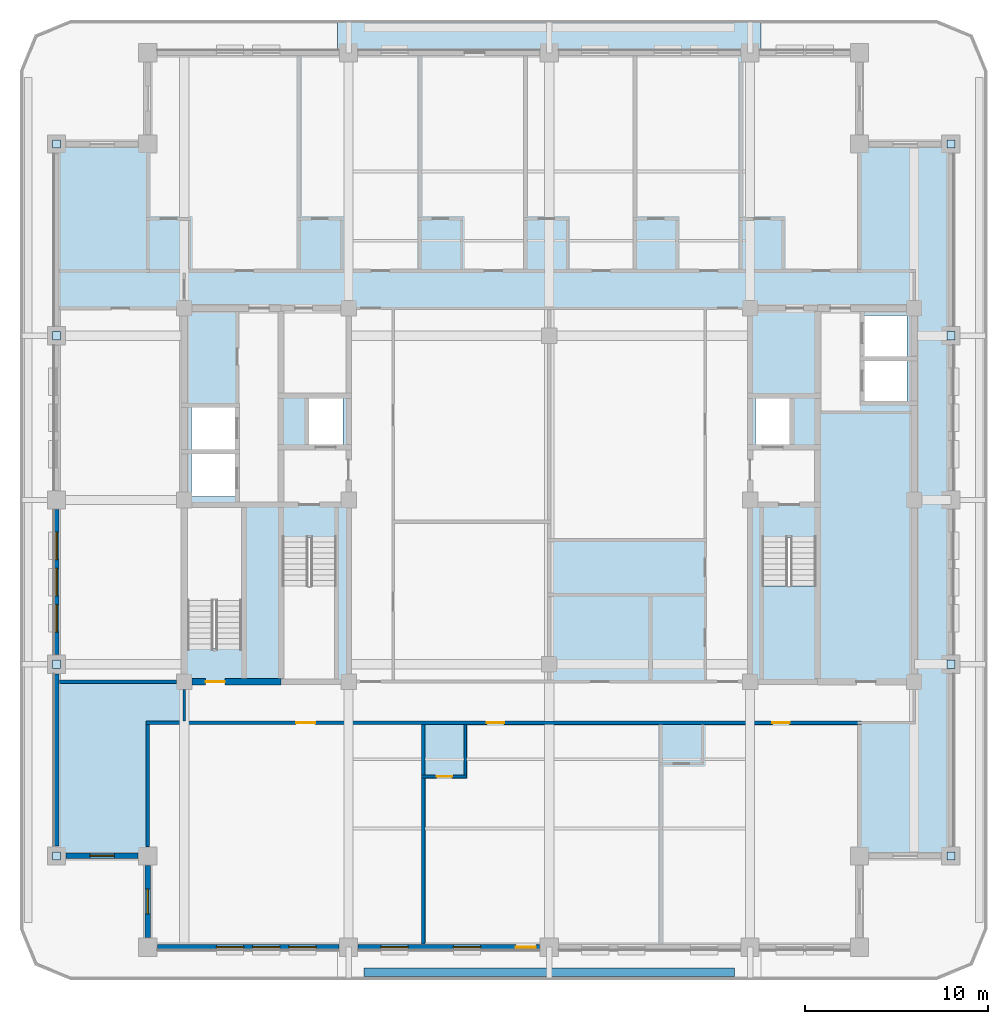
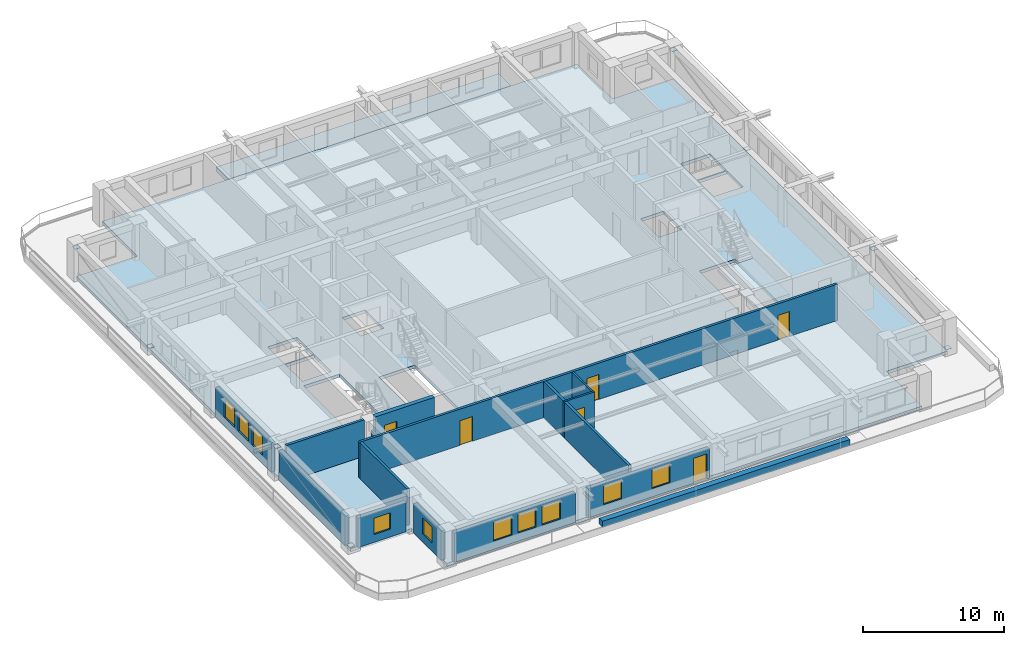
# One storey, part 2 of 14: 16 walls, 10 windows, 8 plates, 6 doors, 3 slabs, 16 openings, 1 element without a shape of its own.
"""IFC4 building model written with IfcOpenShell, lengths in metres."""

from ifc_helpers import new_model, si_unit, direction, frame, frame_2d, origin, origin_2d, place, context, subcontext, project, spatial, polyline, rectangle, outline, extrude, material, layer, layer_set, type_object, element, fill, aggregate, save


model = new_model("IFC4")

# Units and contexts
model_context = context("Model", 3, precision=1e-05, world=origin(), true_north=direction((0.0, 1.0)))
body_context = subcontext(model_context, "Body", "Model", "MODEL_VIEW")
ifc_project = project(units=[si_unit("LENGTHUNIT", "METRE"), si_unit("AREAUNIT", "SQUARE_METRE"), si_unit("VOLUMEUNIT", "CUBIC_METRE"), si_unit("PLANEANGLEUNIT", "RADIAN"), si_unit("MASSUNIT", "GRAM", prefix="KILO")], contexts=[model_context])

# Site, building, storey
site_placement = place(None, origin())
site = spatial("IfcSite", under=ifc_project, at=site_placement, CompositionType="ELEMENT")
building_placement = place(site_placement, origin())
building = spatial("IfcBuilding", under=site, at=building_placement, Name="Zulmaris Gate Convention Tower", CompositionType="ELEMENT")
storey_placement = place(building_placement, frame((0.0, 0.0, 194.85986328125)))
storey = spatial("IfcBuildingStorey", under=building, at=storey_placement, Name="L50", CompositionType="ELEMENT", Elevation=194.85986328125)

# Plates
ifc_material_1 = material(Name="Steel S460", Category="steel")
ifc_layer_1 = layer(ifc_material_1, 0.02490234375, Name="Steel S460")
ifc_layer_set_1 = layer_set([ifc_layer_1], Name="Steel S460")
plate_type = type_object("IfcPlateType", Name="NP-CAP-440", PredefinedType="USERDEFINED", material=ifc_layer_set_1)
for number, where, z_axis, x_axis, name in (
    (1, (-27.0, -19.5, 0.28759765625), (0.0, 0.0, 1.0), (1.0, 0.0, 0.0), "L50 Steel Node Plate PBR-L50-SW-W-CAP"),
    (2, (-27.0, -9.0, 2.517578125), (0.0, 0.0, 1.0), (1.0, 0.0, 0.0), "L50 Steel Node Plate PBR-L50-SW-W-CAPB"),
    (3, (-27.0, 9.0, 0.28759765625), (0.0, 0.0, 1.0), (1.0, 0.0, 0.0), "L50 Steel Node Plate PBR-L50-NW-W-CAP"),
    (4, (-27.0, 19.5, 2.517578125), (0.0, 0.0, 1.0), (1.0, 0.0, 0.0), "L50 Steel Node Plate PBR-L50-NW-W-CAPB"),
    (5, (22.0, -19.5, 0.28759765625), (0.0, 0.0, 1.0), (1.0, 0.0, 0.0), "L50 Steel Node Plate PBR-L50-SE-E-CAP"),
    (6, (22.0, -9.0, 2.517578125), (0.0, 0.0, 1.0), (1.0, 0.0, 0.0), "L50 Steel Node Plate PBR-L50-SE-E-CAPB"),
    (7, (22.0, 9.0, 0.28759765625), (0.0, 0.0, 1.0), (1.0, 0.0, 0.0), "L50 Steel Node Plate PBR-L50-NE-E-CAP"),
    (8, (22.0, 19.5, 2.517578125), (0.0, 0.0, 1.0), (1.0, 0.0, 0.0), "L50 Steel Node Plate PBR-L50-NE-E-CAPB"),
):
    element("IfcPlate", number, at=place(storey_placement, frame(where, z_axis=z_axis, x_axis=x_axis)), inside=storey, type_object=plate_type, Name=name, ObjectType="FLANGE PLATE", PredefinedType="USERDEFINED", context=body_context, shape_type="SweptSolid", body=[
        extrude(rectangle(XDim=0.43994140625, YDim=0.43994140625, at=origin_2d()), origin(), (0.0, 0.0, 1.0), 0.02490234375),
    ])

# Slabs
ifc_material_2 = material(Name="Precast concrete C50/60", Category="concrete")
ifc_layer_2 = layer(ifc_material_2, 0.260009765625, Name="Precast concrete C50/60")
ifc_layer_set_2 = layer_set([ifc_layer_2], Name="Precast concrete C50/60")
slab_type_1 = type_object("IfcSlabType", Name="SL-BAL-260", PredefinedType="FLOOR", material=ifc_layer_set_2)
slab_1_placement = place(storey_placement, frame((0.0, 0.0, -0.425048828125)))
element("IfcSlab", 9, at=slab_1_placement, inside=storey, type_object=slab_type_1, Name="L50 North Tree-Balcony Planter Slab", PredefinedType="FLOOR", context=body_context, shape_type="SweptSolid", body=[
    extrude(outline(polyline([(11.597900390625, 26.300048828125), (11.597900390625, 24.5), (-11.597900390625, 24.5), (-11.597900390625, 26.300048828125), (11.597900390625, 26.300048828125)])), origin(), (0.0, 0.0, 1.0), 0.385009765625),
])
ifc_material_3 = material(Name="Concrete C50/60", Category="concrete")
ifc_layer_3 = layer(ifc_material_3, 0.27490234375, Name="Concrete C50/60")
ifc_layer_set_3 = layer_set([ifc_layer_3], Name="Concrete C50/60")
slab_type_2 = type_object("IfcSlabType", Name="SL-FLR-275", PredefinedType="FLOOR", material=ifc_layer_set_3)
slab_2_placement = place(storey_placement, frame((0.0, 0.0, -0.27490234375)))
element("IfcSlab", 10, at=slab_2_placement, inside=storey, type_object=slab_type_2, Name="L50 Shifted Notched-Square Structural Floor Slab", PredefinedType="FLOOR", context=body_context, shape_type="SweptSolid", body=[
    extrude(outline(polyline([(-22.0, -24.5), (17.0, -24.5), (17.0, -19.5), (22.0, -19.5), (22.0, 19.5), (17.0, 19.5), (17.0, 24.5), (-22.0, 24.5), (-22.0, 19.5), (-27.0, 19.5), (-27.0, -19.5), (-22.0, -19.5), (-22.0, -24.5)]), holes=[polyline([(-14.6201171875, -2.080078125), (-14.6201171875, -9.85009765625), (-11.659912109375, -9.85009765625), (-11.659912109375, -2.080078125), (-14.6201171875, -2.080078125)]), polyline([(11.659912109375, -2.080078125), (11.659912109375, -9.85009765625), (14.6201171875, -9.85009765625), (14.6201171875, -2.080078125), (11.659912109375, -2.080078125)]), polyline([(-16.860107421875, -8.1201171875), (-16.860107421875, -0.35009765625), (-19.820068359375, -0.35009765625), (-19.820068359375, -8.1201171875), (-16.860107421875, -8.1201171875)]), polyline([(-13.199951171875, 3.0), (-11.300048828125, 3.0), (-11.300048828125, 5.60009765625), (-13.199951171875, 5.60009765625), (-13.199951171875, 3.0)]), polyline([(11.300048828125, 3.0), (13.199951171875, 3.0), (13.199951171875, 5.60009765625), (11.300048828125, 5.60009765625), (11.300048828125, 3.0)]), polyline([(17.199951171875, 5.39990234375), (19.60009765625, 5.39990234375), (19.60009765625, 7.699951171875), (17.199951171875, 7.699951171875), (17.199951171875, 5.39990234375)]), polyline([(17.199951171875, 7.800048828125), (19.60009765625, 7.800048828125), (19.60009765625, 10.10009765625), (17.199951171875, 10.10009765625), (17.199951171875, 7.800048828125)]), polyline([(-19.60009765625, 0.199951171875), (-17.199951171875, 0.199951171875), (-17.199951171875, 2.60009765625), (-19.60009765625, 2.60009765625), (-19.60009765625, 0.199951171875)]), polyline([(-19.60009765625, 2.699951171875), (-17.199951171875, 2.699951171875), (-17.199951171875, 5.10009765625), (-19.60009765625, 5.10009765625), (-19.60009765625, 2.699951171875)])]), origin(), (0.0, 0.0, 1.0), 0.27490234375),
])

# Stair, slab
ifc_material_4 = material(Name="Concrete C45/55", Category="concrete")
stair_type = type_object("IfcStairType", Name="ST-CORE-DOGLEG", PredefinedType="HALF_TURN_STAIR", material=ifc_material_4)
stair_placement = place(storey_placement, origin())
stair = element("IfcStair", 11, at=stair_placement, inside=storey, type_object=stair_type, Name="L50 Core Exit Stair ST-2", PredefinedType="HALF_TURN_STAIR")
ifc_layer_4 = layer(ifc_material_4, 0.199951171875, Name="Concrete C45/55")
ifc_layer_set_4 = layer_set([ifc_layer_4], Name="Concrete C45/55")
slab_type_3 = type_object("IfcSlabType", Name="SL-LND-200", PredefinedType="LANDING", material=ifc_layer_set_4)
slab_3_placement = place(storey_placement, frame((0.0, 0.0, 1.5)))
slab_3 = element("IfcSlab", 12, at=slab_3_placement, type_object=slab_type_3, Name="ST-2 landing 1", PredefinedType="LANDING", context=body_context, shape_type="SweptSolid", body=[
    extrude(outline(polyline([(11.659912109375, -4.699951171875), (11.659912109375, -9.85009765625), (14.6201171875, -9.85009765625), (14.6201171875, -4.699951171875), (11.659912109375, -4.699951171875)])), origin(), (0.0, 0.0, 1.0), 0.2001953125),
])
aggregate(stair, [slab_3])

# Wall, opening, door
ifc_material_5 = material(Name="Concrete C55/67", Category="concrete")
ifc_layer_5 = layer(ifc_material_5, 0.35009765625, Name="Concrete C55/67")
ifc_layer_set_5 = layer_set([ifc_layer_5], Name="Concrete C55/67")
wall_type_1 = type_object("IfcWallType", Name="CORE-350", PredefinedType="SHEAR", material=ifc_layer_set_5)
wall_1_placement = place(storey_placement, frame((-19.571044921875, -9.949951171875, 0.0), z_axis=(0.0, 0.0, 1.0), x_axis=(1.0, 0.0, 0.0)))
wall_1 = element("IfcWall", 13, at=wall_1_placement, inside=storey, type_object=wall_type_1, Name="WL-L50-001", PredefinedType="SHEAR", context=body_context, shape_type="SweptSolid", body=[
    extrude(rectangle(XDim=4.87109375, YDim=0.35009765625, at=frame_2d((2.435546875, 0.0))), origin(), (0.0, 0.0, 1.0), 3.150146484375),
])
opening_1_placement = place(wall_1_placement, frame((0.74609375, 0.0, 0.0)))
opening_1 = element("IfcOpeningElement", 14, at=opening_1_placement, cuts=wall_1, Name="Opening D-09", PredefinedType="OPENING", context=body_context, shape_type="SweptSolid", body=[
    extrude(rectangle(XDim=1.050048828125, YDim=2.14990234375, at=frame_2d((0.52490234375, 1.074951171875))), frame((0.0, 0.18505859375, 0.0), z_axis=(0.0, -1.0, 0.0), x_axis=(1.0, 0.0, 0.0)), (0.0, 0.0, 1.0), 0.3701171875),
])
ifc_material_6 = material(Name="Fire-Rated Steel", Category="steel")
door_type_1 = type_object("IfcDoorType", Name="DR-1050-FD", OperationType="NOTDEFINED", PredefinedType="DOOR", material=ifc_material_6)
door_1_placement = place(opening_1_placement, origin())
door_1 = element("IfcDoor", 15, at=door_1_placement, inside=storey, type_object=door_type_1, Name="L50 Exit Stair ST-3 Door 09", OperationType="SINGLE_SWING_RIGHT", OverallHeight=2.14990234375, OverallWidth=1.050048828125, PredefinedType="DOOR", context=body_context, shape_type="SweptSolid", body=[
    extrude(rectangle(XDim=1.050048828125, YDim=2.14990234375, at=frame_2d((0.52490234375, 1.074951171875))), frame((0.0, 0.02490234375, 0.0), z_axis=(0.0, -1.0, 0.0), x_axis=(1.0, 0.0, 0.0)), (0.0, 0.0, 1.0), 0.050048828125),
])
fill(opening_1, door_1)

ifc_material_7 = material(Name="Gypsum Metal Stud Partition")
ifc_layer_6 = layer(ifc_material_7, 0.14990234375, Name="Gypsum Metal Stud Partition")
ifc_layer_set_6 = layer_set([ifc_layer_6], Name="Gypsum Metal Stud Partition")
wall_type_2 = type_object("IfcWallType", Name="PART-150", PredefinedType="PARTITIONING", material=ifc_layer_set_6)
wall_2_placement = place(storey_placement, frame((-7.0, -15.14990234375, 0.0), z_axis=(0.0, 0.0, 1.0), x_axis=(1.0, 0.0, 0.0)))
wall_2 = element("IfcWall", 16, at=wall_2_placement, inside=storey, type_object=wall_type_2, Name="WL-L50-019", PredefinedType="PARTITIONING", context=body_context, shape_type="SweptSolid", body=[
    extrude(rectangle(XDim=2.47509765625, YDim=0.14990234375, at=frame_2d((1.237548828125, 0.0))), origin(), (0.0, 0.0, 1.0), 3.150146484375),
])
opening_2_placement = place(wall_2_placement, frame((0.824951171875, 0.0, 0.0)))
opening_2 = element("IfcOpeningElement", 17, at=opening_2_placement, cuts=wall_2, Name="Opening D-17", PredefinedType="OPENING", context=body_context, shape_type="SweptSolid", body=[
    extrude(rectangle(XDim=0.85009765625, YDim=2.10009765625, at=frame_2d((0.425048828125, 1.050048828125))), frame((0.0, 0.0849609375, 0.0), z_axis=(0.0, -1.0, 0.0), x_axis=(1.0, 0.0, 0.0)), (0.0, 0.0, 1.0), 0.169921875),
])
ifc_material_8 = material(Name="Moisture-Resistant Hardwood Timber", Category="wood")
door_type_2 = type_object("IfcDoorType", Name="DR-850", OperationType="NOTDEFINED", PredefinedType="DOOR", material=ifc_material_8)
door_2_placement = place(opening_2_placement, origin())
door_2 = element("IfcDoor", 18, at=door_2_placement, inside=storey, type_object=door_type_2, Name="L50 En-Suite Door 36", OperationType="SINGLE_SWING_LEFT", OverallHeight=2.10009765625, OverallWidth=0.85009765625, PredefinedType="DOOR", context=body_context, shape_type="SweptSolid", body=[
    extrude(rectangle(XDim=0.85009765625, YDim=2.10009765625, at=frame_2d((0.425048828125, 1.050048828125))), frame((0.0, 0.02490234375, 0.0), z_axis=(0.0, -1.0, 0.0), x_axis=(1.0, 0.0, 0.0)), (0.0, 0.0, 1.0), 0.050048828125),
])
fill(opening_2, door_2)

# Walls
wall_3_placement = place(storey_placement, frame((-20.0, -12.096923828125, 0.0), z_axis=(0.0, 0.0, 1.0), x_axis=(0.0, 1.0, 0.0)))
element("IfcWall", 19, at=wall_3_placement, inside=storey, type_object=wall_type_2, Name="WL-L50-075", PredefinedType="PARTITIONING", context=body_context, shape_type="SweptSolid", body=[
    extrude(rectangle(XDim=1.7158203125, YDim=0.14990234375, at=frame_2d((0.85791015625, 0.0))), origin(), (0.0, 0.0, 1.0), 2.342041015625),
])
wall_4_placement = place(storey_placement, frame((-4.60009765625, -15.072021484375, 0.0), z_axis=(0.0, 0.0, 1.0), x_axis=(0.0, 1.0, 0.0)))
element("IfcWall", 20, at=wall_4_placement, inside=storey, type_object=wall_type_2, Name="WL-L50-089", PredefinedType="PARTITIONING", context=body_context, shape_type="SweptSolid", body=[
    extrude(rectangle(XDim=2.76904296875, YDim=0.14990234375, at=frame_2d((1.384521484375, 0.0))), origin(), (0.0, 0.0, 1.0), 3.150146484375),
])

# Wall, openings, doors
ifc_material_9 = material(Name="Autoclaved Aerated Concrete Block and Plasterboard", Category="concrete")
ifc_layer_7 = layer(ifc_material_9, 0.199951171875, Name="Autoclaved Aerated Concrete Block and Plasterboard")
ifc_layer_set_7 = layer_set([ifc_layer_7], Name="Autoclaved Aerated Concrete Block and Plasterboard")
wall_type_3 = type_object("IfcWallType", Name="PART-200", PredefinedType="PARTITIONING", material=ifc_layer_set_7)
wall_5_placement = place(storey_placement, frame((-22.10009765625, -12.199951171875, 0.0), z_axis=(0.0, 0.0, 1.0), x_axis=(1.0, 0.0, 0.0)))
wall_5 = element("IfcWall", 21, at=wall_5_placement, inside=storey, type_object=wall_type_3, Name="WL-L50-021", PredefinedType="PARTITIONING", context=body_context, shape_type="SweptSolid", body=[
    extrude(rectangle(XDim=39.2001953125, YDim=0.199951171875, at=frame_2d((19.60009765625, 0.0))), origin(), (0.0, 0.0, 1.0), 3.150146484375),
])
opening_3_placement = place(wall_5_placement, frame((8.22509765625, 0.0, 0.0)))
opening_3 = element("IfcOpeningElement", 22, at=opening_3_placement, cuts=wall_5, Name="Opening D-09", PredefinedType="OPENING", context=body_context, shape_type="SweptSolid", body=[
    extrude(rectangle(XDim=1.050048828125, YDim=2.14990234375, at=frame_2d((0.52490234375, 1.074951171875))), frame((0.0, 0.10986328125, 0.0), z_axis=(0.0, -1.0, 0.0), x_axis=(1.0, 0.0, 0.0)), (0.0, 0.0, 1.0), 0.219970703125),
])
opening_4_placement = place(wall_5_placement, frame((18.675048828125, 0.0, 0.0)))
opening_4 = element("IfcOpeningElement", 23, at=opening_4_placement, cuts=wall_5, Name="Opening D-11", PredefinedType="OPENING", context=body_context, shape_type="SweptSolid", body=[
    extrude(rectangle(XDim=0.949951171875, YDim=2.14990234375, at=frame_2d((0.47509765625, 1.074951171875))), frame((0.0, 0.10986328125, 0.0), z_axis=(0.0, -1.0, 0.0), x_axis=(1.0, 0.0, 0.0)), (0.0, 0.0, 1.0), 0.219970703125),
])
opening_5_placement = place(wall_5_placement, frame((34.324951171875, 0.0, 0.0)))
opening_5 = element("IfcOpeningElement", 24, at=opening_5_placement, cuts=wall_5, Name="Opening D-11", PredefinedType="OPENING", context=body_context, shape_type="SweptSolid", body=[
    extrude(rectangle(XDim=0.949951171875, YDim=2.14990234375, at=frame_2d((0.47509765625, 1.074951171875))), frame((0.0, 0.10986328125, 0.0), z_axis=(0.0, -1.0, 0.0), x_axis=(1.0, 0.0, 0.0)), (0.0, 0.0, 1.0), 0.219970703125),
])
door_3_placement = place(opening_3_placement, origin())
door_3 = element("IfcDoor", 25, at=door_3_placement, inside=storey, type_object=door_type_1, Name="L50 Panorama Salon Door 34", OperationType="SINGLE_SWING_LEFT", OverallHeight=2.14990234375, OverallWidth=1.050048828125, PredefinedType="DOOR", context=body_context, shape_type="SweptSolid", body=[
    extrude(rectangle(XDim=1.050048828125, YDim=2.14990234375, at=frame_2d((0.52490234375, 1.074951171875))), frame((0.0, 0.02490234375, 0.0), z_axis=(0.0, -1.0, 0.0), x_axis=(1.0, 0.0, 0.0)), (0.0, 0.0, 1.0), 0.050048828125),
])
fill(opening_3, door_3)
ifc_material_10 = material(Name="Fire-Rated Timber", Category="wood")
door_type_3 = type_object("IfcDoorType", Name="DR-950-FD", OperationType="NOTDEFINED", PredefinedType="DOOR", material=ifc_material_10)
door_4_placement = place(opening_4_placement, origin())
door_4 = element("IfcDoor", 26, at=door_4_placement, inside=storey, type_object=door_type_3, Name="L50 Hotel Executive Suite Door 35", OperationType="SINGLE_SWING_RIGHT", OverallHeight=2.14990234375, OverallWidth=0.949951171875, PredefinedType="DOOR", context=body_context, shape_type="SweptSolid", body=[
    extrude(rectangle(XDim=0.949951171875, YDim=2.14990234375, at=frame_2d((0.47509765625, 1.074951171875))), frame((0.0, 0.02490234375, 0.0), z_axis=(0.0, -1.0, 0.0), x_axis=(1.0, 0.0, 0.0)), (0.0, 0.0, 1.0), 0.050048828125),
])
fill(opening_4, door_4)
door_5_placement = place(opening_5_placement, origin())
door_5 = element("IfcDoor", 27, at=door_5_placement, inside=storey, type_object=door_type_3, Name="L50 Hotel Executive Suite Door 37", OperationType="SINGLE_SWING_RIGHT", OverallHeight=2.14990234375, OverallWidth=0.949951171875, PredefinedType="DOOR", context=body_context, shape_type="SweptSolid", body=[
    extrude(rectangle(XDim=0.949951171875, YDim=2.14990234375, at=frame_2d((0.47509765625, 1.074951171875))), frame((0.0, 0.02490234375, 0.0), z_axis=(0.0, -1.0, 0.0), x_axis=(1.0, 0.0, 0.0)), (0.0, 0.0, 1.0), 0.050048828125),
])
fill(opening_5, door_5)

# Walls
wall_6_placement = place(storey_placement, frame((-26.8349609375, -9.949951171875, 0.0), z_axis=(0.0, 0.0, 1.0), x_axis=(1.0, 0.0, 0.0)))
element("IfcWall", 28, at=wall_6_placement, inside=storey, type_object=wall_type_3, Name="WL-L50-023", PredefinedType="PARTITIONING", context=body_context, shape_type="SweptSolid", body=[
    extrude(rectangle(XDim=6.404052734375, YDim=0.199951171875, at=frame_2d((3.2021484375, 0.0))), origin(), (0.0, 0.0, 1.0), 3.150146484375),
])
wall_7_placement = place(storey_placement, frame((-22.0, -18.993896484375, 0.0), z_axis=(0.0, 0.0, 1.0), x_axis=(0.0, 1.0, 0.0)))
element("IfcWall", 29, at=wall_7_placement, inside=storey, type_object=wall_type_3, Name="WL-L50-072", PredefinedType="PARTITIONING", context=body_context, shape_type="SweptSolid", body=[
    extrude(rectangle(XDim=6.69091796875, YDim=0.199951171875, at=frame_2d((3.345458984375, 0.0))), origin(), (0.0, 0.0, 1.0), 3.150146484375),
])
wall_8_placement = place(storey_placement, frame((-6.89990234375, -24.3349609375, 0.0), z_axis=(0.0, 0.0, 1.0), x_axis=(0.0, 1.0, 0.0)))
element("IfcWall", 30, at=wall_8_placement, inside=storey, type_object=wall_type_3, Name="WL-L50-086", PredefinedType="PARTITIONING", context=body_context, shape_type="SweptSolid", body=[
    extrude(rectangle(XDim=9.10693359375, YDim=0.199951171875, at=frame_2d((4.553466796875, 0.0))), origin(), (0.0, 0.0, 1.0), 3.150146484375),
])
wall_9_placement = place(storey_placement, frame((-6.89990234375, -15.072021484375, 0.0), z_axis=(0.0, 0.0, 1.0), x_axis=(0.0, 1.0, 0.0)))
element("IfcWall", 31, at=wall_9_placement, inside=storey, type_object=wall_type_3, Name="WL-L50-087", PredefinedType="PARTITIONING", context=body_context, shape_type="SweptSolid", body=[
    extrude(rectangle(XDim=2.76904296875, YDim=0.199951171875, at=frame_2d((1.384521484375, 0.0))), origin(), (0.0, 0.0, 1.0), 3.150146484375),
])
ifc_material_11 = material(Name="Botanical Green Glazed Precast Concrete C40/50", Category="concrete")
ifc_layer_8 = layer(ifc_material_11, 0.419921875, Name="Botanical Green Glazed Precast Concrete C40/50")
ifc_layer_set_8 = layer_set([ifc_layer_8], Name="Botanical Green Glazed Precast Concrete C40/50")
wall_type_4 = type_object("IfcWallType", Name="PLANTER-CURB-200", PredefinedType="PARAPET", material=ifc_layer_set_8)
wall_10_placement = place(storey_placement, frame((-10.14990234375, -25.8798828125, -0.0400390625), z_axis=(0.0, 0.0, 1.0), x_axis=(1.0, 0.0, 0.0)))
element("IfcWall", 32, at=wall_10_placement, inside=storey, type_object=wall_type_4, Name="L50 Full-Length Balcony Tree Planter Trough", PredefinedType="PARAPET", context=body_context, shape_type="SweptSolid", body=[
    extrude(rectangle(XDim=20.2998046875, YDim=0.47998046875, at=frame_2d((10.14990234375, 0.0))), origin(), (0.0, 0.0, 1.0), 0.52001953125),
])

# Wall, opening, window
ifc_material_12 = material(Name="Precast concrete C40/50", Category="concrete")
ifc_layer_9 = layer(ifc_material_12, 0.300048828125, Name="Precast concrete C40/50")
ifc_layer_set_9 = layer_set([ifc_layer_9], Name="Precast concrete C40/50")
wall_type_5 = type_object("IfcWallType", Name="PRECAST-PIER-300", PredefinedType="STANDARD", material=ifc_layer_set_9)
wall_11_placement = place(storey_placement, frame((-26.469970703125, -19.5, 0.0), z_axis=(0.0, 0.0, 1.0), x_axis=(1.0, 0.0, 0.0)))
wall_11 = element("IfcWall", 33, at=wall_11_placement, inside=storey, type_object=wall_type_5, Name="EW-L50-NOTCH-SW1_0", PredefinedType="STANDARD", context=body_context, shape_type="SweptSolid", body=[
    extrude(rectangle(XDim=3.93994140625, YDim=0.300048828125, at=frame_2d((1.969970703125, 0.0))), origin(), (0.0, 0.0, 1.0), 2.542236328125),
])
opening_6_placement = place(wall_11_placement, frame((1.294921875, 0.0, 0.679931640625)))
opening_6 = element("IfcOpeningElement", 34, at=opening_6_placement, cuts=wall_11, Name="Opening W-10", PredefinedType="OPENING", context=body_context, shape_type="SweptSolid", body=[
    extrude(rectangle(XDim=1.35009765625, YDim=1.419921875, at=frame_2d((0.675048828125, 0.7099609375))), frame((0.0, 0.16015625, 0.0), z_axis=(0.0, -1.0, 0.0), x_axis=(1.0, 0.0, 0.0)), (0.0, 0.0, 1.0), 0.320068359375),
])
ifc_material_13 = material(Name="Low-E Laminated Double Glazing in Aluminium Frame", Category="aluminium")
window_type_1 = type_object("IfcWindowType", Name="WIN-1350x2000", PartitioningType="SINGLE_PANEL", PredefinedType="WINDOW", material=ifc_material_13)
window_1_placement = place(opening_6_placement, origin())
window_1 = element("IfcWindow", 35, at=window_1_placement, inside=storey, type_object=window_type_1, Name="WN-EW-L50-NOTCH-SW1_0", OverallHeight=1.419921875, OverallWidth=1.35009765625, PartitioningType="SINGLE_PANEL", PredefinedType="WINDOW", context=body_context, shape_type="SweptSolid", body=[
    extrude(rectangle(XDim=1.35009765625, YDim=1.419921875, at=frame_2d((0.675048828125, 0.7099609375))), frame((0.0, 0.030029296875, 0.0), z_axis=(0.0, -1.0, 0.0), x_axis=(1.0, 0.0, 0.0)), (0.0, 0.0, 1.0), 0.06005859375),
])
fill(opening_6, window_1)

wall_12_placement = place(storey_placement, frame((-22.0, -20.030029296875, 0.0), z_axis=(0.0, 0.0, 1.0), x_axis=(0.0, -1.0, 0.0)))
wall_12 = element("IfcWall", 36, at=wall_12_placement, inside=storey, type_object=wall_type_5, Name="EW-L50-NOTCH-SW2_0", PredefinedType="STANDARD", context=body_context, shape_type="SweptSolid", body=[
    extrude(rectangle(XDim=3.93994140625, YDim=0.300048828125, at=frame_2d((1.969970703125, 0.0))), origin(), (0.0, 0.0, 1.0), 2.542236328125),
])
opening_7_placement = place(wall_12_placement, frame((1.294921875, 0.0, 0.679931640625)))
opening_7 = element("IfcOpeningElement", 37, at=opening_7_placement, cuts=wall_12, Name="Opening W-10", PredefinedType="OPENING", context=body_context, shape_type="SweptSolid", body=[
    extrude(rectangle(XDim=1.35009765625, YDim=1.419921875, at=frame_2d((0.675048828125, 0.7099609375))), frame((0.0, 0.16015625, 0.0), z_axis=(0.0, -1.0, 0.0), x_axis=(1.0, 0.0, 0.0)), (0.0, 0.0, 1.0), 0.320068359375),
])
window_2_placement = place(opening_7_placement, origin())
window_2 = element("IfcWindow", 38, at=window_2_placement, inside=storey, type_object=window_type_1, Name="WN-EW-L50-NOTCH-SW2_0", OverallHeight=1.419921875, OverallWidth=1.35009765625, PartitioningType="SINGLE_PANEL", PredefinedType="WINDOW", context=body_context, shape_type="SweptSolid", body=[
    extrude(rectangle(XDim=1.35009765625, YDim=1.419921875, at=frame_2d((0.675048828125, 0.7099609375))), frame((0.0, 0.030029296875, 0.0), z_axis=(0.0, -1.0, 0.0), x_axis=(1.0, 0.0, 0.0)), (0.0, 0.0, 1.0), 0.06005859375),
])
fill(opening_7, window_2)

# Wall, openings, windows
wall_13_placement = place(storey_placement, frame((-21.469970703125, -24.5, 0.0), z_axis=(0.0, 0.0, 1.0), x_axis=(1.0, 0.0, 0.0)))
wall_13 = element("IfcWall", 39, at=wall_13_placement, inside=storey, type_object=wall_type_5, Name="EW-L50-S-0_0", PredefinedType="STANDARD", context=body_context, shape_type="SweptSolid", body=[
    extrude(rectangle(XDim=9.93994140625, YDim=0.300048828125, at=frame_2d((4.969970703125, 0.0))), origin(), (0.0, 0.0, 1.0), 2.542236328125),
])
opening_8_placement = place(wall_13_placement, frame((3.22607421875, 0.0, 0.719970703125)))
opening_8 = element("IfcOpeningElement", 40, at=opening_8_placement, cuts=wall_13, Name="Opening W-03", PredefinedType="OPENING", context=body_context, shape_type="SweptSolid", body=[
    extrude(rectangle(XDim=1.5, YDim=1.60009765625, at=frame_2d((0.75, 0.800048828125))), frame((0.0, 0.16015625, 0.0), z_axis=(0.0, -1.0, 0.0), x_axis=(1.0, 0.0, 0.0)), (0.0, 0.0, 1.0), 0.320068359375),
])
opening_9_placement = place(wall_13_placement, frame((5.214111328125, 0.0, 0.719970703125)))
opening_9 = element("IfcOpeningElement", 41, at=opening_9_placement, cuts=wall_13, Name="Opening W-03", PredefinedType="OPENING", context=body_context, shape_type="SweptSolid", body=[
    extrude(rectangle(XDim=1.5, YDim=1.60009765625, at=frame_2d((0.75, 0.800048828125))), frame((0.0, 0.16015625, 0.0), z_axis=(0.0, -1.0, 0.0), x_axis=(1.0, 0.0, 0.0)), (0.0, 0.0, 1.0), 0.320068359375),
])
opening_10_placement = place(wall_13_placement, frame((7.201904296875, 0.0, 0.719970703125)))
opening_10 = element("IfcOpeningElement", 42, at=opening_10_placement, cuts=wall_13, Name="Opening W-03", PredefinedType="OPENING", context=body_context, shape_type="SweptSolid", body=[
    extrude(rectangle(XDim=1.5, YDim=1.60009765625, at=frame_2d((0.75, 0.800048828125))), frame((0.0, 0.16015625, 0.0), z_axis=(0.0, -1.0, 0.0), x_axis=(1.0, 0.0, 0.0)), (0.0, 0.0, 1.0), 0.320068359375),
])
window_type_2 = type_object("IfcWindowType", Name="WIN-1500x2100", PartitioningType="SINGLE_PANEL", PredefinedType="WINDOW", material=ifc_material_13)
window_3_placement = place(opening_8_placement, origin())
window_3 = element("IfcWindow", 43, at=window_3_placement, inside=storey, type_object=window_type_2, Name="WN-EW-L50-S-0_0-2", OverallHeight=1.60009765625, OverallWidth=1.5, PartitioningType="SINGLE_PANEL", PredefinedType="WINDOW", context=body_context, shape_type="SweptSolid", body=[
    extrude(rectangle(XDim=1.5, YDim=1.60009765625, at=frame_2d((0.75, 0.800048828125))), frame((0.0, 0.030029296875, 0.0), z_axis=(0.0, -1.0, 0.0), x_axis=(1.0, 0.0, 0.0)), (0.0, 0.0, 1.0), 0.06005859375),
])
fill(opening_8, window_3)
window_4_placement = place(opening_9_placement, origin())
window_4 = element("IfcWindow", 44, at=window_4_placement, inside=storey, type_object=window_type_2, Name="WN-EW-L50-S-0_0-3", OverallHeight=1.60009765625, OverallWidth=1.5, PartitioningType="SINGLE_PANEL", PredefinedType="WINDOW", context=body_context, shape_type="SweptSolid", body=[
    extrude(rectangle(XDim=1.5, YDim=1.60009765625, at=frame_2d((0.75, 0.800048828125))), frame((0.0, 0.030029296875, 0.0), z_axis=(0.0, -1.0, 0.0), x_axis=(1.0, 0.0, 0.0)), (0.0, 0.0, 1.0), 0.06005859375),
])
fill(opening_9, window_4)
window_5_placement = place(opening_10_placement, origin())
window_5 = element("IfcWindow", 45, at=window_5_placement, inside=storey, type_object=window_type_2, Name="WN-EW-L50-S-0_0-4", OverallHeight=1.60009765625, OverallWidth=1.5, PartitioningType="SINGLE_PANEL", PredefinedType="WINDOW", context=body_context, shape_type="SweptSolid", body=[
    extrude(rectangle(XDim=1.5, YDim=1.60009765625, at=frame_2d((0.75, 0.800048828125))), frame((0.0, 0.030029296875, 0.0), z_axis=(0.0, -1.0, 0.0), x_axis=(1.0, 0.0, 0.0)), (0.0, 0.0, 1.0), 0.06005859375),
])
fill(opening_10, window_5)

# Wall, openings, door, windows
wall_14_placement = place(storey_placement, frame((-10.469970703125, -24.5, 0.0), z_axis=(0.0, 0.0, 1.0), x_axis=(1.0, 0.0, 0.0)))
wall_14 = element("IfcWall", 46, at=wall_14_placement, inside=storey, type_object=wall_type_5, Name="EW-L50-S-1_0", PredefinedType="STANDARD", context=body_context, shape_type="SweptSolid", body=[
    extrude(rectangle(XDim=9.93994140625, YDim=0.300048828125, at=frame_2d((4.969970703125, 0.0))), origin(), (0.0, 0.0, 1.0), 2.542236328125),
])
opening_11_placement = place(wall_14_placement, frame((8.639892578125, 0.0, 0.0)))
opening_11 = element("IfcOpeningElement", 47, at=opening_11_placement, cuts=wall_14, Name="Opening D-04", PredefinedType="OPENING", context=body_context, shape_type="SweptSolid", body=[
    extrude(rectangle(XDim=1.10009765625, YDim=2.14990234375, at=frame_2d((0.550048828125, 1.074951171875))), frame((0.0, 0.16015625, 0.0), z_axis=(0.0, -1.0, 0.0), x_axis=(1.0, 0.0, 0.0)), (0.0, 0.0, 1.0), 0.320068359375),
])
opening_12_placement = place(wall_14_placement, frame((1.238037109375, 0.0, 0.719970703125)))
opening_12 = element("IfcOpeningElement", 48, at=opening_12_placement, cuts=wall_14, Name="Opening W-03", PredefinedType="OPENING", context=body_context, shape_type="SweptSolid", body=[
    extrude(rectangle(XDim=1.5, YDim=1.60009765625, at=frame_2d((0.75, 0.800048828125))), frame((0.0, 0.16015625, 0.0), z_axis=(0.0, -1.0, 0.0), x_axis=(1.0, 0.0, 0.0)), (0.0, 0.0, 1.0), 0.320068359375),
])
opening_13_placement = place(wall_14_placement, frame((5.214111328125, 0.0, 0.719970703125)))
opening_13 = element("IfcOpeningElement", 49, at=opening_13_placement, cuts=wall_14, Name="Opening W-03", PredefinedType="OPENING", context=body_context, shape_type="SweptSolid", body=[
    extrude(rectangle(XDim=1.5, YDim=1.60009765625, at=frame_2d((0.75, 0.800048828125))), frame((0.0, 0.16015625, 0.0), z_axis=(0.0, -1.0, 0.0), x_axis=(1.0, 0.0, 0.0)), (0.0, 0.0, 1.0), 0.320068359375),
])
ifc_material_14 = material(Name="Anodised Aluminium and Laminated Glass", Category="aluminium")
door_type_4 = type_object("IfcDoorType", Name="ED-1100", OperationType="SINGLE_SWING_RIGHT", PredefinedType="DOOR", material=ifc_material_14)
door_6_placement = place(opening_11_placement, origin())
door_6 = element("IfcDoor", 50, at=door_6_placement, inside=storey, type_object=door_type_4, Name="L50 S Planted Terrace Door", OperationType="SINGLE_SWING_RIGHT", OverallHeight=2.14990234375, OverallWidth=1.10009765625, PredefinedType="DOOR", context=body_context, shape_type="SweptSolid", body=[
    extrude(rectangle(XDim=1.10009765625, YDim=2.14990234375, at=frame_2d((0.550048828125, 1.074951171875))), frame((0.0, 0.02490234375, 0.0), z_axis=(0.0, -1.0, 0.0), x_axis=(1.0, 0.0, 0.0)), (0.0, 0.0, 1.0), 0.050048828125),
])
fill(opening_11, door_6)
window_6_placement = place(opening_12_placement, origin())
window_6 = element("IfcWindow", 51, at=window_6_placement, inside=storey, type_object=window_type_2, Name="WN-EW-L50-S-1_0-1", OverallHeight=1.60009765625, OverallWidth=1.5, PartitioningType="SINGLE_PANEL", PredefinedType="WINDOW", context=body_context, shape_type="SweptSolid", body=[
    extrude(rectangle(XDim=1.5, YDim=1.60009765625, at=frame_2d((0.75, 0.800048828125))), frame((0.0, 0.030029296875, 0.0), z_axis=(0.0, -1.0, 0.0), x_axis=(1.0, 0.0, 0.0)), (0.0, 0.0, 1.0), 0.06005859375),
])
fill(opening_12, window_6)
window_7_placement = place(opening_13_placement, origin())
window_7 = element("IfcWindow", 52, at=window_7_placement, inside=storey, type_object=window_type_2, Name="WN-EW-L50-S-1_0-3", OverallHeight=1.60009765625, OverallWidth=1.5, PartitioningType="SINGLE_PANEL", PredefinedType="WINDOW", context=body_context, shape_type="SweptSolid", body=[
    extrude(rectangle(XDim=1.5, YDim=1.60009765625, at=frame_2d((0.75, 0.800048828125))), frame((0.0, 0.030029296875, 0.0), z_axis=(0.0, -1.0, 0.0), x_axis=(1.0, 0.0, 0.0)), (0.0, 0.0, 1.0), 0.06005859375),
])
fill(opening_13, window_7)

# Wall
wall_15_placement = place(storey_placement, frame((-27.0, -9.530029296875, 0.0), z_axis=(0.0, 0.0, 1.0), x_axis=(0.0, -1.0, 0.0)))
element("IfcWall", 53, at=wall_15_placement, inside=storey, type_object=wall_type_5, Name="EW-L50-W-0_0", PredefinedType="STANDARD", context=body_context, shape_type="SweptSolid", body=[
    extrude(rectangle(XDim=9.43994140625, YDim=0.300048828125, at=frame_2d((4.719970703125, 0.0))), origin(), (0.0, 0.0, 1.0), 2.542236328125),
])

# Wall, openings, windows
wall_16_placement = place(storey_placement, frame((-27.0, -0.530029296875, 0.0), z_axis=(0.0, 0.0, 1.0), x_axis=(0.0, -1.0, 0.0)))
wall_16 = element("IfcWall", 54, at=wall_16_placement, inside=storey, type_object=wall_type_5, Name="EW-L50-W-1_0", PredefinedType="STANDARD", context=body_context, shape_type="SweptSolid", body=[
    extrude(rectangle(XDim=7.93994140625, YDim=0.300048828125, at=frame_2d((3.969970703125, 0.0))), origin(), (0.0, 0.0, 1.0), 2.542236328125),
])
opening_14_placement = place(wall_16_placement, frame((1.235107421875, 0.0, 0.719970703125)))
opening_14 = element("IfcOpeningElement", 55, at=opening_14_placement, cuts=wall_16, Name="Opening W-03", PredefinedType="OPENING", context=body_context, shape_type="SweptSolid", body=[
    extrude(rectangle(XDim=1.5, YDim=1.60009765625, at=frame_2d((0.75, 0.800048828125))), frame((0.0, 0.16015625, 0.0), z_axis=(0.0, -1.0, 0.0), x_axis=(1.0, 0.0, 0.0)), (0.0, 0.0, 1.0), 0.320068359375),
])
opening_15_placement = place(wall_16_placement, frame((3.219970703125, 0.0, 0.719970703125)))
opening_15 = element("IfcOpeningElement", 56, at=opening_15_placement, cuts=wall_16, Name="Opening W-03", PredefinedType="OPENING", context=body_context, shape_type="SweptSolid", body=[
    extrude(rectangle(XDim=1.5, YDim=1.60009765625, at=frame_2d((0.75, 0.800048828125))), frame((0.0, 0.16015625, 0.0), z_axis=(0.0, -1.0, 0.0), x_axis=(1.0, 0.0, 0.0)), (0.0, 0.0, 1.0), 0.320068359375),
])
opening_16_placement = place(wall_16_placement, frame((5.205078125, 0.0, 0.719970703125)))
opening_16 = element("IfcOpeningElement", 57, at=opening_16_placement, cuts=wall_16, Name="Opening W-03", PredefinedType="OPENING", context=body_context, shape_type="SweptSolid", body=[
    extrude(rectangle(XDim=1.5, YDim=1.60009765625, at=frame_2d((0.75, 0.800048828125))), frame((0.0, 0.16015625, 0.0), z_axis=(0.0, -1.0, 0.0), x_axis=(1.0, 0.0, 0.0)), (0.0, 0.0, 1.0), 0.320068359375),
])
window_8_placement = place(opening_14_placement, origin())
window_8 = element("IfcWindow", 58, at=window_8_placement, inside=storey, type_object=window_type_2, Name="WN-EW-L50-W-1_0-1", OverallHeight=1.60009765625, OverallWidth=1.5, PartitioningType="SINGLE_PANEL", PredefinedType="WINDOW", context=body_context, shape_type="SweptSolid", body=[
    extrude(rectangle(XDim=1.5, YDim=1.60009765625, at=frame_2d((0.75, 0.800048828125))), frame((0.0, 0.030029296875, 0.0), z_axis=(0.0, -1.0, 0.0), x_axis=(1.0, 0.0, 0.0)), (0.0, 0.0, 1.0), 0.06005859375),
])
fill(opening_14, window_8)
window_9_placement = place(opening_15_placement, origin())
window_9 = element("IfcWindow", 59, at=window_9_placement, inside=storey, type_object=window_type_2, Name="WN-EW-L50-W-1_0-2", OverallHeight=1.60009765625, OverallWidth=1.5, PartitioningType="SINGLE_PANEL", PredefinedType="WINDOW", context=body_context, shape_type="SweptSolid", body=[
    extrude(rectangle(XDim=1.5, YDim=1.60009765625, at=frame_2d((0.75, 0.800048828125))), frame((0.0, 0.030029296875, 0.0), z_axis=(0.0, -1.0, 0.0), x_axis=(1.0, 0.0, 0.0)), (0.0, 0.0, 1.0), 0.06005859375),
])
fill(opening_15, window_9)
window_10_placement = place(opening_16_placement, origin())
window_10 = element("IfcWindow", 60, at=window_10_placement, inside=storey, type_object=window_type_2, Name="WN-EW-L50-W-1_0-3", OverallHeight=1.60009765625, OverallWidth=1.5, PartitioningType="SINGLE_PANEL", PredefinedType="WINDOW", context=body_context, shape_type="SweptSolid", body=[
    extrude(rectangle(XDim=1.5, YDim=1.60009765625, at=frame_2d((0.75, 0.800048828125))), frame((0.0, 0.030029296875, 0.0), z_axis=(0.0, -1.0, 0.0), x_axis=(1.0, 0.0, 0.0)), (0.0, 0.0, 1.0), 0.06005859375),
])
fill(opening_16, window_10)

save(model, "model.ifc")
